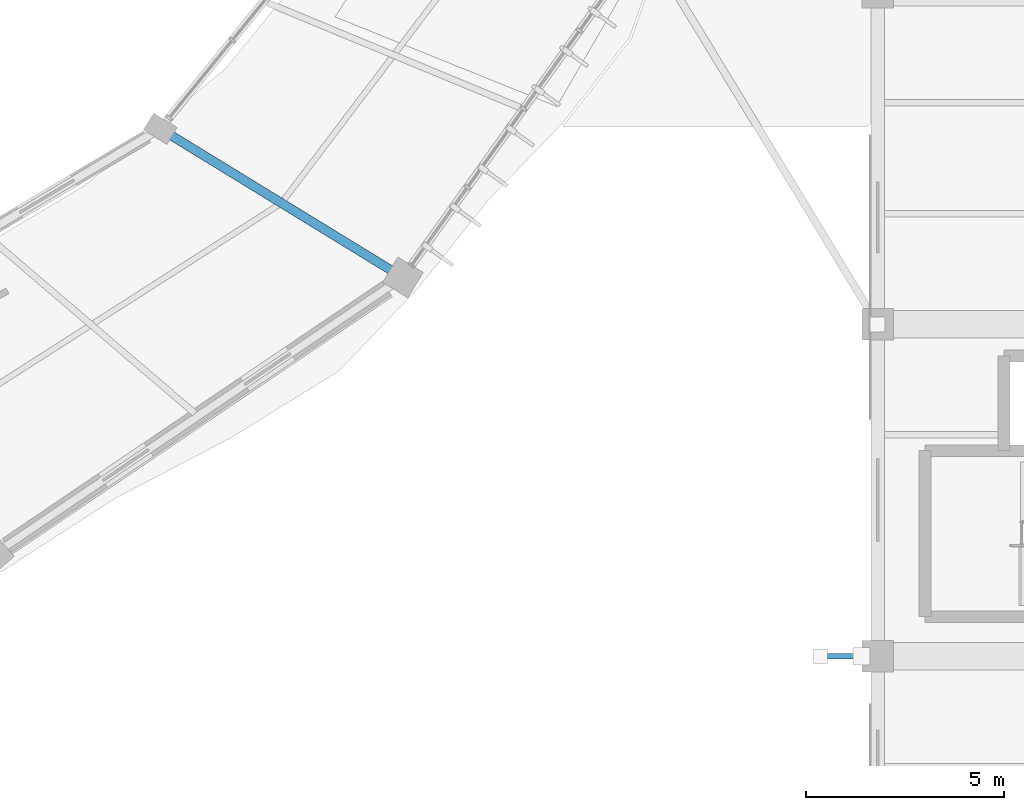
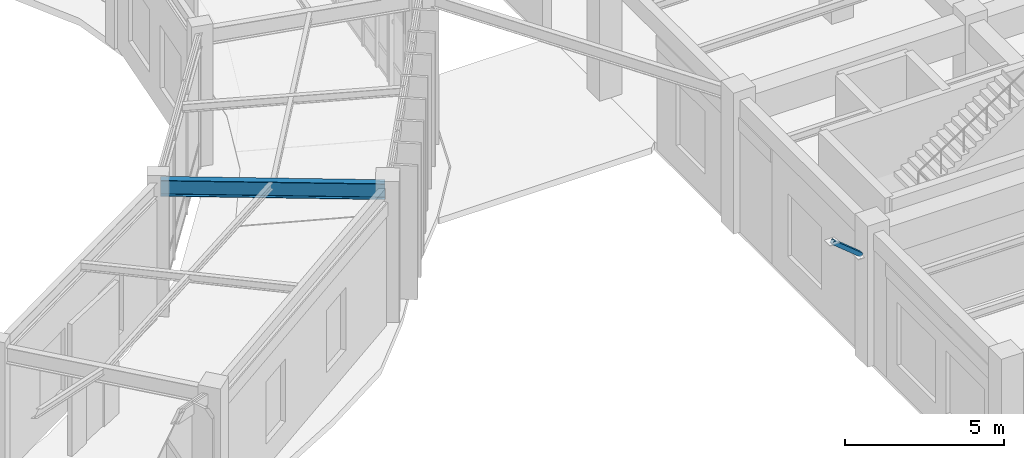
# One storey, part 94 of 157: 1 beam, 1 member.
"""IFC4 building model written with IfcOpenShell, lengths in metres."""

from ifc_helpers import new_model, si_unit, direction, frame, origin, origin_2d, place, context, subcontext, project, spatial, hollow_rectangle, i_section, extrude, material, material_profile, profile_set, type_object, element, save


model = new_model("IFC4")

# Units and contexts
model_context = context("Model", 3, precision=1e-05, world=origin(), true_north=direction((0.0, 1.0)))
body_context = subcontext(model_context, "Body", "Model", "MODEL_VIEW")
ifc_project = project(units=[si_unit("LENGTHUNIT", "METRE"), si_unit("AREAUNIT", "SQUARE_METRE"), si_unit("VOLUMEUNIT", "CUBIC_METRE"), si_unit("PLANEANGLEUNIT", "RADIAN"), si_unit("MASSUNIT", "GRAM", prefix="KILO"), si_unit("THERMODYNAMICTEMPERATUREUNIT", "KELVIN"), si_unit("POWERUNIT", "WATT")], contexts=[model_context])

# Site, building, storey
site_placement = place(None, origin())
site = spatial("IfcSite", under=ifc_project, at=site_placement, CompositionType="ELEMENT")
building_placement = place(site_placement, origin())
building = spatial("IfcBuilding", under=site, at=building_placement, Name="Darbajah Civic Hall", CompositionType="ELEMENT")
storey_placement = place(building_placement, origin())
storey = spatial("IfcBuildingStorey", under=building, at=storey_placement, Name="L00", CompositionType="ELEMENT", Elevation=0.0)

# Member
ifc_material = material(Name="Steel S355JR", Category="steel")
ifc_material_profile_1 = material_profile(ifc_material, hollow_rectangle(XDim=0.14990234375, YDim=0.14990234375, WallThickness=0.008056640625, at=origin_2d()), Name="SHS 150x150x8")
ifc_profile_set_1 = profile_set([ifc_material_profile_1], Name="Steel S355JR")
member_type = type_object("IfcMemberType", Name="SHS 150x150x8", PredefinedType="STRUT", material=ifc_profile_set_1)
member_placement = place(storey_placement, frame((144.19189453125, 64.800048828125, 4.10009765625), z_axis=(-0.774935227591, 0.0, 0.632040657742), x_axis=(0.0, -1.0, 0.0)))
element("IfcMember", 1, at=member_placement, inside=storey, type_object=member_type, Name="L00 chhajja canopy raking strut 11", PredefinedType="STRUT", context=body_context, shape_type="SweptSolid", body=[
    extrude(hollow_rectangle(XDim=0.14990234375, YDim=0.14990234375, WallThickness=0.008056640625, at=origin_2d()), origin(), (0.0, 0.0, 1.0), 1.3447265625),
])

# Beam
ifc_material_profile_2 = material_profile(ifc_material, i_section(OverallWidth=0.228271484375, OverallDepth=0.607666015625, WebThickness=0.010986328125, FlangeThickness=0.017333984375, FilletRadius=0.0126953125, at=origin_2d()), Name="UB 610x229x113")
ifc_profile_set_2 = profile_set([ifc_material_profile_2], Name="Steel S355JR")
beam_type = type_object("IfcBeamType", Name="UB 610x229x113", PredefinedType="BEAM", material=ifc_profile_set_2)
beam_placement = place(storey_placement, frame((126.513916015625, 78.1064453125, 4.816162109375), z_axis=(0.852629661041, -0.522515704178, 0.0), x_axis=(0.522515704178, 0.852629661041, 0.0)))
element("IfcBeam", 2, at=beam_placement, inside=storey, type_object=beam_type, Name="L00 beam SB-610", PredefinedType="BEAM", context=body_context, shape_type="SweptSolid", body=[
    extrude(i_section(OverallWidth=0.228271484375, OverallDepth=0.607666015625, WebThickness=0.010986328125, FlangeThickness=0.017333984375, FilletRadius=0.0126953125, at=origin_2d()), origin(), (0.0, 0.0, 1.0), 7.039794921875),
])

save(model, "model.ifc")
